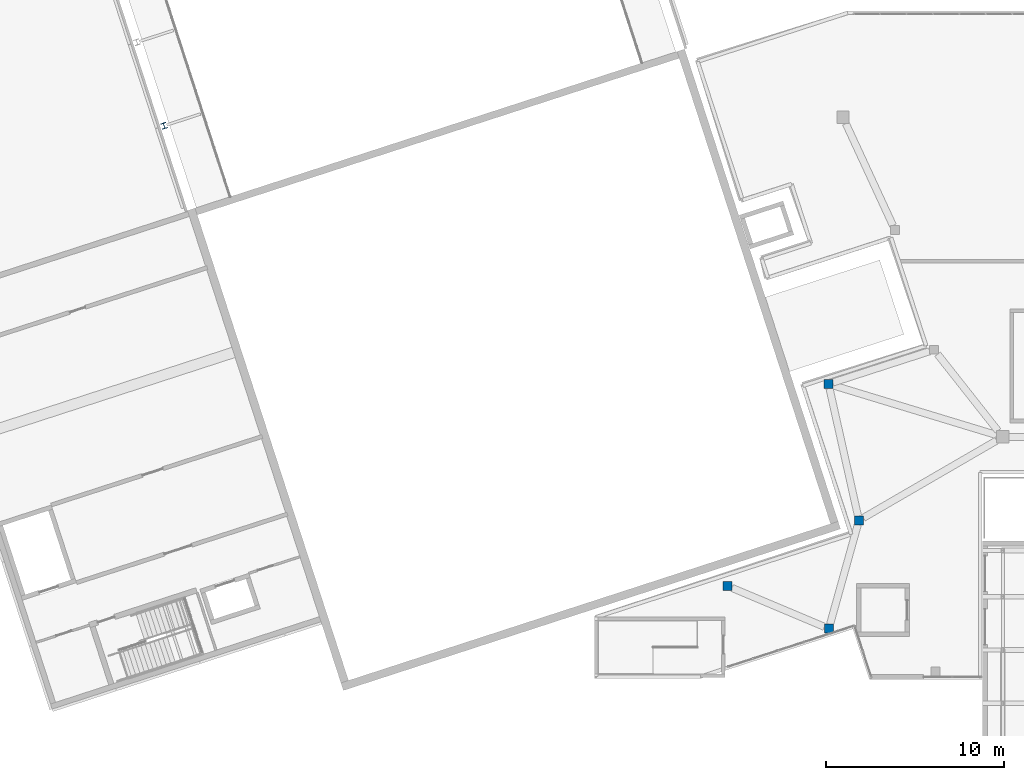
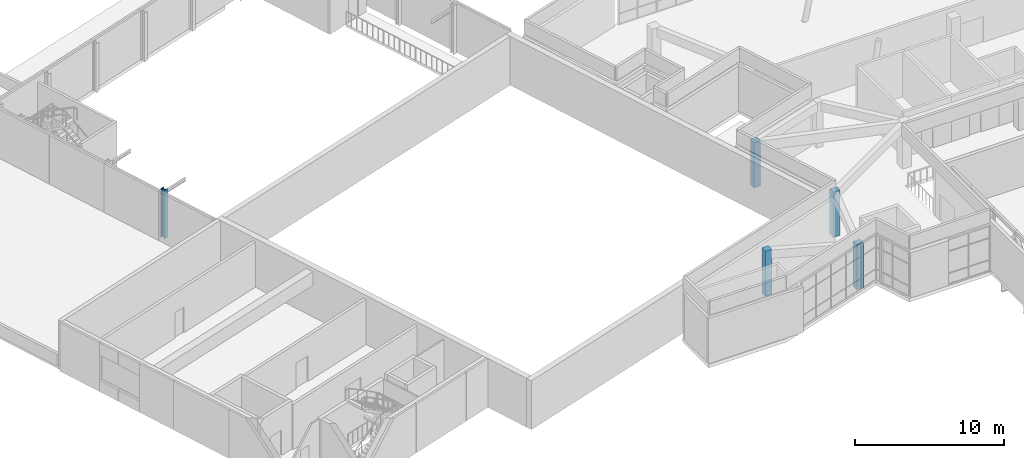
# One storey, part 1 of 72: 5 columns.
"""IFC4 building model written with IfcOpenShell, lengths in metres."""

from ifc_helpers import new_model, si_unit, direction, frame, origin, origin_2d, place, context, subcontext, project, spatial, rectangle, i_section, extrude, material, material_profile, profile_set, type_object, element, save


model = new_model("IFC4")

# Units and contexts
model_context = context("Model", 3, precision=1e-05, world=origin(), true_north=direction((0.0, 1.0)))
body_context = subcontext(model_context, "Body", "Model", "MODEL_VIEW")
ifc_project = project(units=[si_unit("LENGTHUNIT", "METRE"), si_unit("AREAUNIT", "SQUARE_METRE"), si_unit("VOLUMEUNIT", "CUBIC_METRE"), si_unit("PLANEANGLEUNIT", "RADIAN"), si_unit("MASSUNIT", "GRAM", prefix="KILO")], contexts=[model_context])

# Site, building, storey
site_placement = place(None, origin())
site = spatial("IfcSite", under=ifc_project, at=site_placement, CompositionType="ELEMENT")
building_placement = place(site_placement, origin())
building = spatial("IfcBuilding", under=site, at=building_placement, Name="Tuart Plaza Theatre", CompositionType="ELEMENT")
storey_placement = place(building_placement, frame((0.0, 0.0, 13.5)))
storey = spatial("IfcBuildingStorey", under=building, at=storey_placement, Name="L03", CompositionType="ELEMENT", Elevation=13.5)

# Columns
ifc_material_1 = material(Name="Steel Grade 300", Category="steel")
ifc_material_profile_1 = material_profile(ifc_material_1, i_section(OverallWidth=0.31103515625, OverallDepth=0.326904296875, WebThickness=0.015625, FlangeThickness=0.02490234375, FilletRadius=0.0166015625, at=origin_2d()), Name="310UC158")
ifc_profile_set_1 = profile_set([ifc_material_profile_1], Name="Steel Grade 300")
column_type_1 = type_object("IfcColumnType", Name="COLUMN 310UC158", PredefinedType="COLUMN", material=ifc_profile_set_1)
column_placement = place(storey_placement, frame((39.756103515625, 73.527587890625, 0.0), z_axis=(0.0, 0.0, 1.0), x_axis=(0.951056516295, 0.309016994375, 0.0)))
element("IfcColumn", 1, at=column_placement, inside=storey, type_object=column_type_1, Name="SC5", PredefinedType="COLUMN", context=body_context, shape_type="SweptSolid", body=[
    extrude(i_section(OverallWidth=0.31103515625, OverallDepth=0.326904296875, WebThickness=0.015625, FlangeThickness=0.02490234375, FilletRadius=0.0166015625, at=origin_2d()), origin(), (0.0, 0.0, 1.0), 4.0),
])
ifc_material_2 = material(Name="Concrete N50 (50 MPa)", Category="concrete")
ifc_material_profile_2 = material_profile(ifc_material_2, rectangle(XDim=0.5, YDim=0.5, at=origin_2d()), Name="COLUMN 500x500 Concrete N50 (50 MPa)")
ifc_profile_set_2 = profile_set([ifc_material_profile_2], Name="Concrete N50 (50 MPa)")
column_type_2 = type_object("IfcColumnType", Name="COLUMN 500x500 Concrete N50 (50 MPa)", PredefinedType="COLUMN", material=ifc_profile_set_2)
for number, where, z_axis, x_axis, name in (
    (2, (77.199951171875, 45.199951171875, 0.0), (0.0, 0.0, 1.0), (1.0, 0.0, 0.0), "C42"),
    (3, (71.5, 47.60009765625, 0.0), (0.0, 0.0, 1.0), (1.0, 0.0, 0.0), "C43"),
    (4, (78.89990234375, 51.300048828125, 0.0), (0.0, 0.0, 1.0), (1.0, 0.0, 0.0), "C44"),
    (5, (77.181640625, 58.9853515625, 0.0), (0.0, 0.0, 1.0), (1.0, 0.0, 0.0), "C45"),
):
    element("IfcColumn", number, at=place(storey_placement, frame(where, z_axis=z_axis, x_axis=x_axis)), inside=storey, type_object=column_type_2, Name=name, PredefinedType="COLUMN", context=body_context, shape_type="SweptSolid", body=[
        extrude(rectangle(XDim=0.5, YDim=0.5, at=origin_2d()), origin(), (0.0, 0.0, 1.0), 3.699951171875),
    ])

save(model, "model.ifc")
